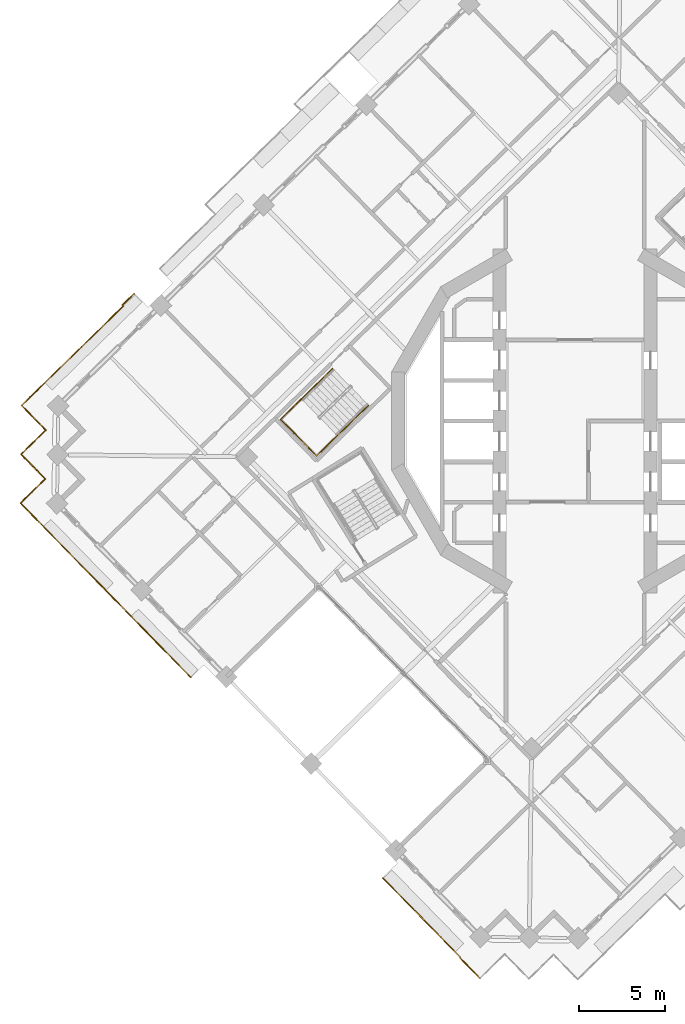
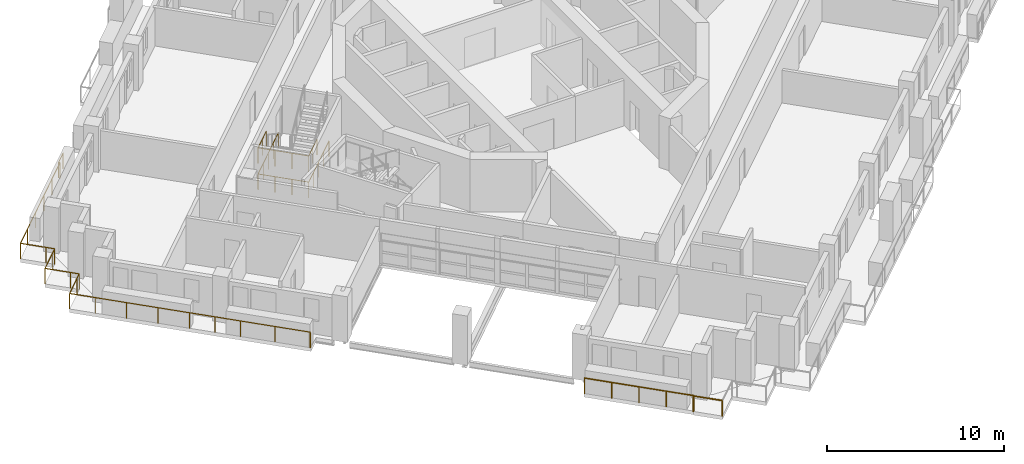
# One storey, part 14 of 19: 4 railings.
"""IFC4 building model written with IfcOpenShell, lengths in metres."""

from ifc_helpers import new_model, si_unit, direction, frame, origin, origin_2d, place, context, subcontext, project, spatial, circle, extrude, material, type_object, element, save


model = new_model("IFC4")

# Units and contexts
model_context = context("Model", 3, precision=1e-05, world=origin(), true_north=direction((0.0, 1.0)))
body_context = subcontext(model_context, "Body", "Model", "MODEL_VIEW")
ifc_project = project(units=[si_unit("LENGTHUNIT", "METRE"), si_unit("AREAUNIT", "SQUARE_METRE"), si_unit("VOLUMEUNIT", "CUBIC_METRE"), si_unit("PLANEANGLEUNIT", "RADIAN"), si_unit("MASSUNIT", "GRAM", prefix="KILO")], contexts=[model_context])

# Site, building, storey
site_placement = place(None, origin())
site = spatial("IfcSite", under=ifc_project, at=site_placement, CompositionType="ELEMENT")
building_placement = place(site_placement, origin())
building = spatial("IfcBuilding", under=site, at=building_placement, Name="Cantera Rosa Tower", CompositionType="ELEMENT")
storey_placement = place(building_placement, frame((0.0, 0.0, 241.39990234375)))
storey = spatial("IfcBuildingStorey", under=building, at=storey_placement, Name="L53", CompositionType="ELEMENT", Elevation=241.39990234375)

# Railings
ifc_material_1 = material(Name="Stainless steel and laminated glass", Category="steel")
railing_type_1 = type_object("IfcRailingType", Name="GUARD 1100", PredefinedType="BALUSTRADE", material=ifc_material_1)
railing_1_placement = place(storey_placement, frame((-22.26416015625, -14.845703125, 0.0)))
element("IfcRailing", 1, at=railing_1_placement, inside=storey, type_object=railing_type_1, Name="GUARD L53-1", PredefinedType="BALUSTRADE", context=body_context, shape_type="SweptSolid", body=[
    extrude(circle(Radius=0.030029296875, at=origin_2d()), frame((0.0, 0.0, 1.070068359375), z_axis=(-0.700106234421, 0.714038696798, 0.0), x_axis=(-0.714038696798, -0.700106234421, 0.0)), (0.0, 0.0, 1.0), 0.070068359375),
    extrude(circle(Radius=0.030029296875, at=origin_2d()), frame((-0.049072265625, 0.050048828125, 1.070068359375), z_axis=(-0.698829866575, 0.715287926351, 0.0), x_axis=(-0.715287926351, -0.698829866575, 0.0)), (0.0, 0.0, 1.0), 4.02001953125),
    extrude(circle(Radius=0.030029296875, at=origin_2d()), frame((-2.8583984375, 2.925537109375, 1.070068359375), z_axis=(-0.698839281014, 0.715278728407, 0.0), x_axis=(-0.715278728407, -0.698839281014, 0.0)), (0.0, 0.0, 1.0), 3.0),
    extrude(circle(Radius=0.030029296875, at=origin_2d()), frame((-4.954833984375, 5.0712890625, 1.070068359375), z_axis=(-0.698810055914, 0.715307280652, 0.0), x_axis=(-0.715307280652, -0.698810055914, 0.0)), (0.0, 0.0, 1.0), 5.52001953125),
    extrude(circle(Radius=0.030029296875, at=origin_2d()), frame((-8.812255859375, 9.019775390625, 1.070068359375), z_axis=(-0.698921594874, 0.71519829713, 0.0), x_axis=(-0.71519829713, -0.698921594874, 0.0)), (0.0, 0.0, 1.0), 1.5),
    extrude(circle(Radius=0.030029296875, at=origin_2d()), frame((-9.860595703125, 10.092529296875, 1.070068359375), z_axis=(0.715277793538, 0.698840237873, 0.0), x_axis=(-0.698840237873, 0.715277793538, 0.0)), (0.0, 0.0, 1.0), 1.5),
    extrude(circle(Radius=0.030029296875, at=origin_2d()), frame((-8.78759765625, 11.140869140625, 1.070068359375), z_axis=(0.715359149995, 0.698756958118, 0.0), x_axis=(-0.698756958118, 0.715359149995, 0.0)), (0.0, 0.0, 1.0), 0.5),
    extrude(circle(Radius=0.030029296875, at=origin_2d()), frame((-8.429931640625, 11.490234375, 1.070068359375), z_axis=(-0.699006712162, 0.715115107065, 0.0), x_axis=(-0.715115107065, -0.699006712162, 0.0)), (0.0, 0.0, 1.0), 0.500244140625),
    extrude(circle(Radius=0.030029296875, at=origin_2d()), frame((-8.779541015625, 11.847900390625, 1.070068359375), z_axis=(-0.698756958118, 0.715359149995, 0.0), x_axis=(-0.715359149995, -0.698756958118, 0.0)), (0.0, 0.0, 1.0), 1.5),
    extrude(circle(Radius=0.030029296875, at=origin_2d()), frame((-9.82763671875, 12.9208984375, 1.070068359375), z_axis=(0.71519829713, 0.698921594874, 0.0), x_axis=(-0.698921594874, 0.71519829713, 0.0)), (0.0, 0.0, 1.0), 1.5),
    extrude(circle(Radius=0.030029296875, at=origin_2d()), frame((-8.7548828125, 13.96923828125, 1.070068359375), z_axis=(0.715359149995, 0.698756958118, 0.0), x_axis=(-0.698756958118, 0.715359149995, 0.0)), (0.0, 0.0, 1.0), 0.5),
    extrude(circle(Radius=0.030029296875, at=origin_2d()), frame((-8.397216796875, 14.318603515625, 1.070068359375), z_axis=(-0.698756958118, 0.715359149995, 0.0), x_axis=(-0.715359149995, -0.698756958118, 0.0)), (0.0, 0.0, 1.0), 0.5),
    extrude(circle(Radius=0.030029296875, at=origin_2d()), frame((-8.74658203125, 14.67626953125, 1.070068359375), z_axis=(-0.698838323933, 0.71527966349, 0.0), x_axis=(-0.71527966349, -0.698838323933, 0.0)), (0.0, 0.0, 1.0), 1.499755859375),
    extrude(circle(Radius=0.030029296875, at=origin_2d()), frame((-9.794677734375, 15.7490234375, 1.070068359375), z_axis=(0.71519829713, 0.698921594874, 0.0), x_axis=(-0.698921594874, 0.71519829713, 0.0)), (0.0, 0.0, 1.0), 1.5),
    extrude(circle(Radius=0.030029296875, at=origin_2d()), frame((-8.721923828125, 16.79736328125, 1.070068359375), z_axis=(0.715299537719, 0.698817981551, 0.0), x_axis=(-0.698817981551, 0.715299537719, 0.0)), (0.0, 0.0, 1.0), 6.739990234375),
    extrude(circle(Radius=0.030029296875, at=origin_2d()), frame((-3.90087890625, 21.50732421875, 1.070068359375), z_axis=(-0.699463047568, 0.714668765994, 0.0), x_axis=(-0.714668765994, -0.699463047568, 0.0)), (0.0, 0.0, 1.0), 0.080322265625),
    extrude(circle(Radius=0.030029296875, at=origin_2d()), frame((-3.95703125, 21.564697265625, 1.070068359375), z_axis=(0.715280598787, 0.698837366631, 0.0), x_axis=(-0.698837366631, 0.715280598787, 0.0)), (0.0, 0.0, 1.0), 0.9501953125),
    extrude(circle(Radius=0.02490234375, at=origin_2d()), origin(), (0.0, 0.0, 1.0), 1.0400390625),
    extrude(circle(Radius=0.02490234375, at=origin_2d()), frame((-0.049072265625, 0.050048828125, 0.0)), (0.0, 0.0, 1.0), 1.0400390625),
    extrude(circle(Radius=0.02490234375, at=origin_2d()), frame((-1.45361328125, 1.48779296875, 0.0)), (0.0, 0.0, 1.0), 1.0400390625),
    extrude(circle(Radius=0.02490234375, at=origin_2d()), frame((-2.8583984375, 2.925537109375, 0.0)), (0.0, 0.0, 1.0), 1.0400390625),
    extrude(circle(Radius=0.02490234375, at=origin_2d()), frame((-3.90673828125, 3.99853515625, 0.0)), (0.0, 0.0, 1.0), 1.0400390625),
    extrude(circle(Radius=0.02490234375, at=origin_2d()), frame((-4.954833984375, 5.0712890625, 0.0)), (0.0, 0.0, 1.0), 1.0400390625),
    extrude(circle(Radius=0.02490234375, at=origin_2d()), frame((-6.24072265625, 6.387451171875, 0.0)), (0.0, 0.0, 1.0), 1.0400390625),
    extrude(circle(Radius=0.02490234375, at=origin_2d()), frame((-7.5263671875, 7.70361328125, 0.0)), (0.0, 0.0, 1.0), 1.0400390625),
    extrude(circle(Radius=0.02490234375, at=origin_2d()), frame((-8.812255859375, 9.019775390625, 0.0)), (0.0, 0.0, 1.0), 1.0400390625),
    extrude(circle(Radius=0.02490234375, at=origin_2d()), frame((-9.860595703125, 10.092529296875, 0.0)), (0.0, 0.0, 1.0), 1.0400390625),
    extrude(circle(Radius=0.02490234375, at=origin_2d()), frame((-8.78759765625, 11.140869140625, 0.0)), (0.0, 0.0, 1.0), 1.0400390625),
    extrude(circle(Radius=0.02490234375, at=origin_2d()), frame((-8.429931640625, 11.490234375, 0.0)), (0.0, 0.0, 1.0), 1.0400390625),
    extrude(circle(Radius=0.02490234375, at=origin_2d()), frame((-8.779541015625, 11.847900390625, 0.0)), (0.0, 0.0, 1.0), 1.0400390625),
    extrude(circle(Radius=0.02490234375, at=origin_2d()), frame((-9.82763671875, 12.9208984375, 0.0)), (0.0, 0.0, 1.0), 1.0400390625),
    extrude(circle(Radius=0.02490234375, at=origin_2d()), frame((-8.7548828125, 13.96923828125, 0.0)), (0.0, 0.0, 1.0), 1.0400390625),
    extrude(circle(Radius=0.02490234375, at=origin_2d()), frame((-8.397216796875, 14.318603515625, 0.0)), (0.0, 0.0, 1.0), 1.0400390625),
    extrude(circle(Radius=0.02490234375, at=origin_2d()), frame((-8.74658203125, 14.67626953125, 0.0)), (0.0, 0.0, 1.0), 1.0400390625),
    extrude(circle(Radius=0.02490234375, at=origin_2d()), frame((-9.794677734375, 15.7490234375, 0.0)), (0.0, 0.0, 1.0), 1.0400390625),
    extrude(circle(Radius=0.02490234375, at=origin_2d()), frame((-8.721923828125, 16.79736328125, 0.0)), (0.0, 0.0, 1.0), 1.0400390625),
    extrude(circle(Radius=0.02490234375, at=origin_2d()), frame((-7.5166015625, 17.974853515625, 0.0)), (0.0, 0.0, 1.0), 1.0400390625),
    extrude(circle(Radius=0.02490234375, at=origin_2d()), frame((-6.3115234375, 19.15234375, 0.0)), (0.0, 0.0, 1.0), 1.0400390625),
    extrude(circle(Radius=0.02490234375, at=origin_2d()), frame((-5.106201171875, 20.329833984375, 0.0)), (0.0, 0.0, 1.0), 1.0400390625),
    extrude(circle(Radius=0.02490234375, at=origin_2d()), frame((-3.90087890625, 21.50732421875, 0.0)), (0.0, 0.0, 1.0), 1.0400390625),
    extrude(circle(Radius=0.02490234375, at=origin_2d()), frame((-3.95703125, 21.564697265625, 0.0)), (0.0, 0.0, 1.0), 1.0400390625),
    extrude(circle(Radius=0.02490234375, at=origin_2d()), frame((-3.27734375, 22.228759765625, 0.0)), (0.0, 0.0, 1.0), 1.0400390625),
])
railing_2_placement = place(storey_placement, frame((-5.502685546875, -32.288330078125, 0.0)))
element("IfcRailing", 2, at=railing_2_placement, inside=storey, type_object=railing_type_1, Name="GUARD L53-3", PredefinedType="BALUSTRADE", context=body_context, shape_type="SweptSolid", body=[
    extrude(circle(Radius=0.030029296875, at=origin_2d()), frame((0.0, 0.0, 1.070068359375), z_axis=(-0.69880105094, 0.715316077832, 0.0), x_axis=(-0.715316077832, -0.69880105094, 0.0)), (0.0, 0.0, 1.0), 1.699951171875),
    extrude(circle(Radius=0.030029296875, at=origin_2d()), frame((-1.18798828125, 1.216064453125, 1.070068359375), z_axis=(0.716639490729, 0.697443790085, 0.0), x_axis=(-0.697443790085, 0.716639490729, 0.0)), (0.0, 0.0, 1.0), 0.0380859375),
    extrude(circle(Radius=0.030029296875, at=origin_2d()), frame((-1.16064453125, 1.24267578125, 1.070068359375), z_axis=(-0.69884455656, 0.715273574072, 0.0), x_axis=(-0.715273574072, -0.69884455656, 0.0)), (0.0, 0.0, 1.0), 6.389892578125),
    extrude(circle(Radius=0.02490234375, at=origin_2d()), origin(), (0.0, 0.0, 1.0), 1.0400390625),
    extrude(circle(Radius=0.02490234375, at=origin_2d()), frame((-1.18798828125, 1.216064453125, 0.0)), (0.0, 0.0, 1.0), 1.0400390625),
    extrude(circle(Radius=0.02490234375, at=origin_2d()), frame((-1.16064453125, 1.24267578125, 0.0)), (0.0, 0.0, 1.0), 1.0400390625),
    extrude(circle(Radius=0.02490234375, at=origin_2d()), frame((-2.277099609375, 2.38525390625, 0.0)), (0.0, 0.0, 1.0), 1.0400390625),
    extrude(circle(Radius=0.02490234375, at=origin_2d()), frame((-3.3935546875, 3.52783203125, 0.0)), (0.0, 0.0, 1.0), 1.0400390625),
    extrude(circle(Radius=0.02490234375, at=origin_2d()), frame((-4.509765625, 4.670654296875, 0.0)), (0.0, 0.0, 1.0), 1.0400390625),
    extrude(circle(Radius=0.02490234375, at=origin_2d()), frame((-5.626220703125, 5.813232421875, 0.0)), (0.0, 0.0, 1.0), 1.0400390625),
])
ifc_material_2 = material(Name="Steel S355J2 (EN 10025-2)", Category="steel")
railing_type_2 = type_object("IfcRailingType", Name="STAIR GUARD 1100", PredefinedType="GUARDRAIL", material=ifc_material_2)
railing_3_placement = place(storey_placement, frame((-14.044921875, 3.0322265625, 0.0)))
element("IfcRailing", 3, at=railing_3_placement, inside=storey, type_object=railing_type_2, Name="L53 ST-43 stair guard 4", PredefinedType="GUARDRAIL", context=body_context, shape_type="SweptSolid", body=[
    extrude(circle(Radius=0.02392578125, at=origin_2d()), frame((0.0, 0.0, 1.076171875), z_axis=(-0.715259213566, -0.698859254364, 0.0), x_axis=(0.698859254364, -0.715259213566, 0.0)), (0.0, 0.0, 1.0), 4.197998046875),
    extrude(circle(Radius=0.02392578125, at=origin_2d()), frame((-3.002685546875, -2.933837890625, 1.076171875), z_axis=(0.698838333505, -0.715279654138, 0.0), x_axis=(0.715279654138, 0.698838333505, 0.0)), (0.0, 0.0, 1.0), 2.9697265625),
    extrude(circle(Radius=0.02392578125, at=origin_2d()), frame((-0.92724609375, -5.05810546875, 1.076171875), z_axis=(0.715288284249, 0.698829500247, 0.0), x_axis=(-0.698829500247, 0.715288284249, 0.0)), (0.0, 0.0, 1.0), 4.19775390625),
    extrude(circle(Radius=0.02099609375, at=origin_2d()), origin(), (0.0, 0.0, 1.0), 1.052001953125),
    extrude(circle(Radius=0.02099609375, at=origin_2d()), frame((-0.750732421875, -0.7333984375, 0.0)), (0.0, 0.0, 1.0), 1.052001953125),
    extrude(circle(Radius=0.02099609375, at=origin_2d()), frame((-1.50146484375, -1.466796875, 0.0)), (0.0, 0.0, 1.0), 1.052001953125),
    extrude(circle(Radius=0.02099609375, at=origin_2d()), frame((-2.251953125, -2.200439453125, 0.0)), (0.0, 0.0, 1.0), 1.052001953125),
    extrude(circle(Radius=0.02099609375, at=origin_2d()), frame((-3.002685546875, -2.933837890625, 0.0)), (0.0, 0.0, 1.0), 1.052001953125),
    extrude(circle(Radius=0.02099609375, at=origin_2d()), frame((-2.310791015625, -3.641845703125, 0.0)), (0.0, 0.0, 1.0), 1.052001953125),
    extrude(circle(Radius=0.02099609375, at=origin_2d()), frame((-1.619140625, -4.35009765625, 0.0)), (0.0, 0.0, 1.0), 1.052001953125),
    extrude(circle(Radius=0.02099609375, at=origin_2d()), frame((-0.92724609375, -5.05810546875, 0.0)), (0.0, 0.0, 1.0), 1.052001953125),
    extrude(circle(Radius=0.02099609375, at=origin_2d()), frame((-0.176513671875, -4.32470703125, 0.0)), (0.0, 0.0, 1.0), 1.052001953125),
    extrude(circle(Radius=0.02099609375, at=origin_2d()), frame((0.57421875, -3.59130859375, 0.0)), (0.0, 0.0, 1.0), 1.052001953125),
    extrude(circle(Radius=0.02099609375, at=origin_2d()), frame((1.32470703125, -2.85791015625, 0.0)), (0.0, 0.0, 1.0), 1.052001953125),
    extrude(circle(Radius=0.02099609375, at=origin_2d()), frame((2.075439453125, -2.12451171875, 0.0)), (0.0, 0.0, 1.0), 1.052001953125),
])
railing_4_placement = place(storey_placement, frame((-15.830322265625, 1.287841796875, 1.800048828125)))
element("IfcRailing", 4, at=railing_4_placement, inside=storey, type_object=railing_type_2, Name="L53 ST-43 stair guard 5", PredefinedType="GUARDRAIL", context=body_context, shape_type="SweptSolid", body=[
    extrude(circle(Radius=0.02392578125, at=origin_2d()), frame((0.0, 0.0, 1.076171875), z_axis=(-0.715236090757, -0.698882919007, 0.0), x_axis=(0.698882919007, -0.715236090757, 0.0)), (0.0, 0.0, 1.0), 1.701904296875),
    extrude(circle(Radius=0.02392578125, at=origin_2d()), frame((-1.21728515625, -1.189453125, 1.076171875), z_axis=(0.698838333505, -0.715279654138, 0.0), x_axis=(0.715279654138, 0.698838333505, 0.0)), (0.0, 0.0, 1.0), 2.9697265625),
    extrude(circle(Radius=0.02392578125, at=origin_2d()), frame((0.858154296875, -3.313720703125, 1.076171875), z_axis=(0.715236090757, 0.698882919007, 0.0), x_axis=(-0.698882919007, 0.715236090757, 0.0)), (0.0, 0.0, 1.0), 1.701904296875),
    extrude(circle(Radius=0.02099609375, at=origin_2d()), origin(), (0.0, 0.0, 1.0), 1.052001953125),
    extrude(circle(Radius=0.02099609375, at=origin_2d()), frame((-0.608642578125, -0.5947265625, 0.0)), (0.0, 0.0, 1.0), 1.052001953125),
    extrude(circle(Radius=0.02099609375, at=origin_2d()), frame((-1.21728515625, -1.189453125, 0.0)), (0.0, 0.0, 1.0), 1.052001953125),
    extrude(circle(Radius=0.02099609375, at=origin_2d()), frame((-0.525390625, -1.8974609375, 0.0)), (0.0, 0.0, 1.0), 1.052001953125),
    extrude(circle(Radius=0.02099609375, at=origin_2d()), frame((0.166259765625, -2.605712890625, 0.0)), (0.0, 0.0, 1.0), 1.052001953125),
    extrude(circle(Radius=0.02099609375, at=origin_2d()), frame((0.858154296875, -3.313720703125, 0.0)), (0.0, 0.0, 1.0), 1.052001953125),
    extrude(circle(Radius=0.02099609375, at=origin_2d()), frame((1.466796875, -2.718994140625, 0.0)), (0.0, 0.0, 1.0), 1.052001953125),
    extrude(circle(Radius=0.02099609375, at=origin_2d()), frame((2.075439453125, -2.124267578125, 0.0)), (0.0, 0.0, 1.0), 1.052001953125),
])

save(model, "model.ifc")
